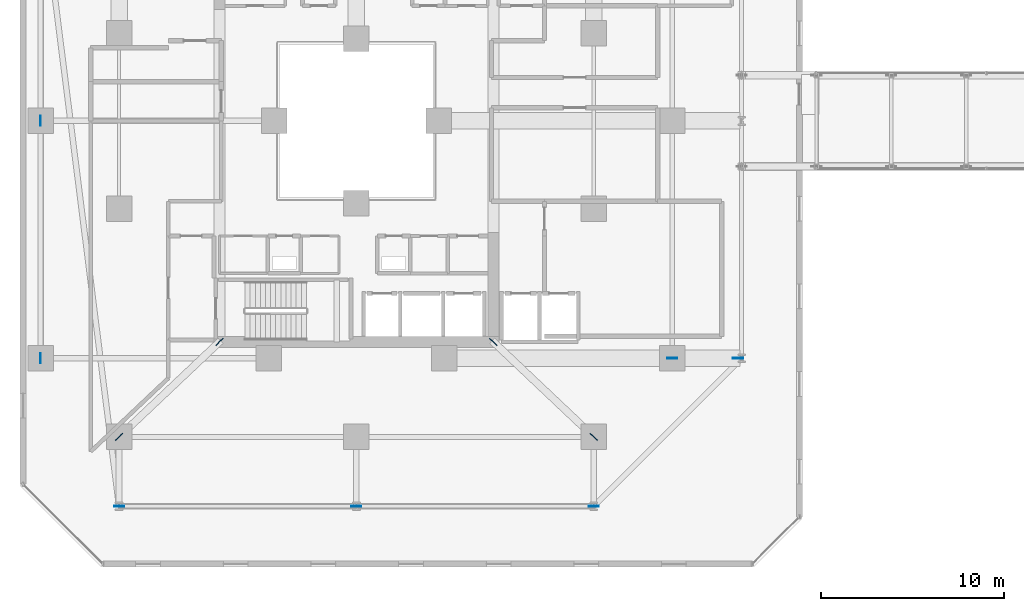
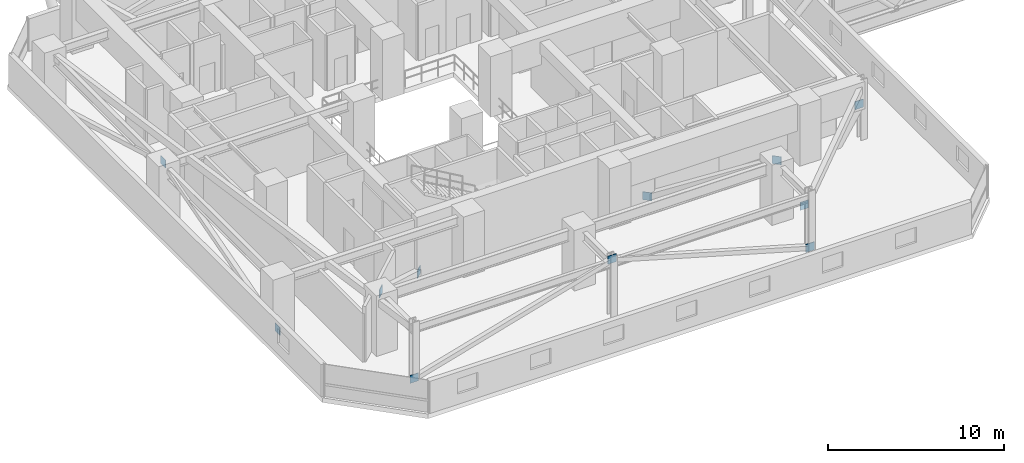
# One storey, part 24 of 38: 11 plates.
"""IFC4 building model written with IfcOpenShell, lengths in metres."""

from ifc_helpers import new_model, si_unit, direction, frame, origin, origin_2d, place, context, subcontext, project, spatial, rectangle, extrude, material, layer, layer_set, type_object, element, save


model = new_model("IFC4")

# Units and contexts
model_context = context("Model", 3, precision=1e-05, world=origin(), true_north=direction((0.0, 1.0)))
body_context = subcontext(model_context, "Body", "Model", "MODEL_VIEW")
ifc_project = project(units=[si_unit("LENGTHUNIT", "METRE"), si_unit("AREAUNIT", "SQUARE_METRE"), si_unit("VOLUMEUNIT", "CUBIC_METRE"), si_unit("PLANEANGLEUNIT", "RADIAN"), si_unit("MASSUNIT", "GRAM", prefix="KILO")], contexts=[model_context])

# Site, building, storey
site_placement = place(None, origin())
site = spatial("IfcSite", under=ifc_project, at=site_placement, CompositionType="ELEMENT")
building_placement = place(site_placement, origin())
building = spatial("IfcBuilding", under=site, at=building_placement, Name="Thornwick Lancets Civic Towers", CompositionType="ELEMENT")
storey_placement = place(building_placement, frame((0.0, 0.0, 71.699951171875)))
storey = spatial("IfcBuildingStorey", under=building, at=storey_placement, Name="L18", CompositionType="ELEMENT", Elevation=71.699951171875)

# Plates
ifc_material = material(Name="Steel S460M", Category="steel")
ifc_layer = layer(ifc_material, 0.0400390625, Name="Steel S460M")
ifc_layer_set = layer_set([ifc_layer], Name="Steel S460M")
plate_type = type_object("IfcPlateType", Name="PLT_GUSSET_40", PredefinedType="USERDEFINED", material=ifc_layer_set)
for number, where, z_axis, x_axis, name in (
    (1, (42.800048828125, 14.0, -3.625), (0.0, 0.0, 1.0), (1.0, 0.0, 0.0), "L18 Brace Connection Gusset Plate 0077"),
    (2, (46.39990234375, 14.0, 2.10498046875), (0.0, 0.0, 1.0), (1.0, 0.0, 0.0), "L18 Brace Connection Gusset Plate 0078"),
    (3, (12.5, 5.89990234375, -0.125), (0.0, 0.0, 1.0), (1.0, 0.0, 0.0), "L18 Brace Connection Gusset Plate 0097"),
    (4, (25.5, 5.89990234375, 3.60498046875), (0.0, 0.0, 1.0), (1.0, 0.0, 0.0), "L18 Brace Connection Gusset Plate 0098"),
    (5, (38.5, 5.89990234375, -0.125), (0.0, 0.0, 1.0), (-1.0, 0.0, 0.0), "L18 Brace Connection Gusset Plate 0099"),
    (6, (8.199951171875, 14.0, -0.125), (0.0, 0.0, 1.0), (0.0, 1.0, 0.0), "L18 Brace Connection Gusset Plate 0103"),
    (7, (8.199951171875, 27.0, 3.60498046875), (0.0, 0.0, 1.0), (0.0, 1.0, 0.0), "L18 Brace Connection Gusset Plate 0104"),
    (8, (33.0, 14.89990234375, -0.125), (0.0, 0.0, 1.0), (0.726694579297, -0.686960689137, 0.0), "L18 Brace Connection Gusset Plate 0106"),
    (9, (38.5, 9.699951171875, 3.60498046875), (0.0, 0.0, 1.0), (0.726694579297, -0.686960689137, 0.0), "L18 Brace Connection Gusset Plate 0107"),
    (10, (18.0, 14.89990234375, -0.125), (0.0, 0.0, 1.0), (-0.726694579297, -0.686960689137, 0.0), "L18 Brace Connection Gusset Plate 0108"),
    (11, (12.5, 9.699951171875, 3.60498046875), (0.0, 0.0, 1.0), (-0.726694579297, -0.686960689137, 0.0), "L18 Brace Connection Gusset Plate 0109"),
):
    element("IfcPlate", number, at=place(storey_placement, frame(where, z_axis=z_axis, x_axis=x_axis)), inside=storey, type_object=plate_type, Name=name, ObjectType="GUSSET_PLATE", PredefinedType="USERDEFINED", context=body_context, shape_type="SweptSolid", body=[
        extrude(rectangle(XDim=0.550048828125, YDim=0.0400390625, at=origin_2d()), origin(), (0.0, 0.0, 1.0), 0.550048828125),
    ])

save(model, "model.ifc")
